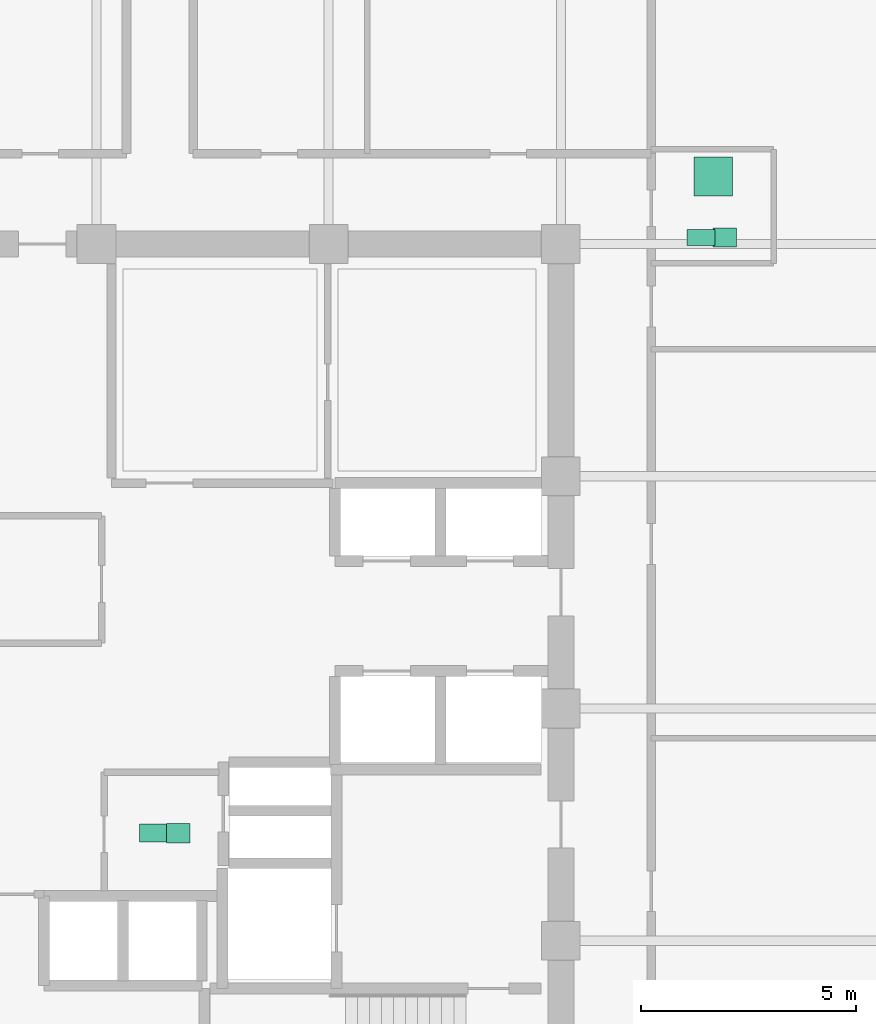
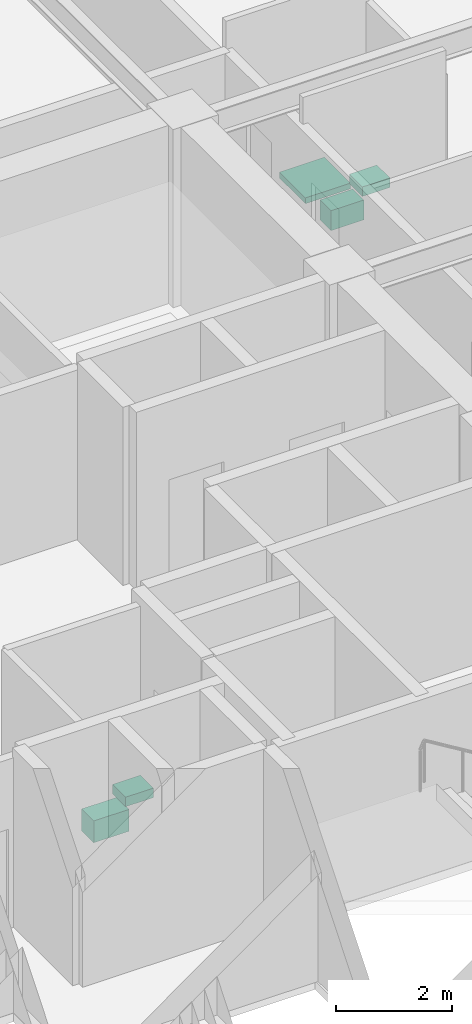
# One storey, part 32 of 32: 5 sanitary terminals.
"""IFC4 building model written with IfcOpenShell, lengths in metres."""

from ifc_helpers import new_model, si_unit, direction, frame, origin, origin_2d, place, context, subcontext, project, spatial, rectangle, extrude, material, type_object, element, save


model = new_model("IFC4")

# Units and contexts
model_context = context("Model", 3, precision=1e-05, world=origin(), true_north=direction((0.0, 1.0)))
body_context = subcontext(model_context, "Body", "Model", "MODEL_VIEW")
ifc_project = project(units=[si_unit("LENGTHUNIT", "METRE"), si_unit("AREAUNIT", "SQUARE_METRE"), si_unit("VOLUMEUNIT", "CUBIC_METRE"), si_unit("PLANEANGLEUNIT", "RADIAN"), si_unit("MASSUNIT", "GRAM", prefix="KILO")], contexts=[model_context])

# Site, building, storey
site_placement = place(None, origin())
site = spatial("IfcSite", under=ifc_project, at=site_placement, CompositionType="ELEMENT")
building_placement = place(site_placement, origin())
building = spatial("IfcBuilding", under=site, at=building_placement, Name="Surkhivell Harbour Commons", CompositionType="ELEMENT")
storey_placement = place(building_placement, frame((0.0, 0.0, 186.0)))
storey = spatial("IfcBuildingStorey", under=building, at=storey_placement, Name="L48", CompositionType="ELEMENT", Elevation=186.0)

# Sanitary terminals
ifc_material_1 = material(Name="Vitreous china washbasin", Category="other")
sanitary_terminal_type_1 = type_object("IfcSanitaryTerminalType", Name="SAN-BSN", PredefinedType="WASHHANDBASIN", material=ifc_material_1)
for number, where, z_axis, x_axis, name in (
    (1, (1.89990234375, -2.89990234375, 0.72021484375), (0.0, 0.0, 1.0), (1.0, 0.0, 0.0), "L48 Core Accessible WC Washbasin"),
    (2, (14.610107421875, 10.949951171875, 0.72021484375), (0.0, 0.0, 1.0), (1.0, 0.0, 0.0), "L48 East Communal Bathroom WC Washbasin"),
):
    element("IfcSanitaryTerminal", number, at=place(storey_placement, frame(where, z_axis=z_axis, x_axis=x_axis)), inside=storey, type_object=sanitary_terminal_type_1, Name=name, PredefinedType="WASHHANDBASIN", context=body_context, shape_type="SweptSolid", body=[
        extrude(rectangle(XDim=0.550048828125, YDim=0.449951171875, at=origin_2d()), origin(), (0.0, 0.0, 1.0), 0.199951171875),
    ])
ifc_material_2 = material(Name="Glazed porcelain shower tray", Category="other")
sanitary_terminal_type_2 = type_object("IfcSanitaryTerminalType", Name="SAN-SHW", PredefinedType="SHOWER", material=ifc_material_2)
sanitary_terminal_1_placement = place(storey_placement, frame((14.340087890625, 12.3701171875, 0.0), z_axis=(0.0, 0.0, 1.0), x_axis=(1.0, 0.0, 0.0)))
element("IfcSanitaryTerminal", 3, at=sanitary_terminal_1_placement, inside=storey, type_object=sanitary_terminal_type_2, Name="L48 East Communal Shower Tray", PredefinedType="SHOWER", context=body_context, shape_type="SweptSolid", body=[
    extrude(rectangle(XDim=0.89990234375, YDim=0.89990234375, at=origin_2d()), origin(), (0.0, 0.0, 1.0), 0.1201171875),
])
ifc_material_3 = material(Name="Vitreous china sanitaryware", Category="other")
sanitary_terminal_type_3 = type_object("IfcSanitaryTerminalType", Name="SAN-WC-ACC", PredefinedType="TOILETPAN", material=ifc_material_3)
sanitary_terminal_2_placement = place(storey_placement, frame((1.35009765625, -2.89990234375, 0.169921875), z_axis=(0.0, 0.0, 1.0), x_axis=(1.0, 0.0, 0.0)))
element("IfcSanitaryTerminal", 4, at=sanitary_terminal_2_placement, inside=storey, type_object=sanitary_terminal_type_3, Name="L48 Core Accessible WC", PredefinedType="TOILETPAN", context=body_context, shape_type="SweptSolid", body=[
    extrude(rectangle(XDim=0.699951171875, YDim=0.419921875, at=origin_2d()), origin(), (0.0, 0.0, 1.0), 0.4599609375),
])
sanitary_terminal_type_4 = type_object("IfcSanitaryTerminalType", Name="SAN-WC-STD", PredefinedType="TOILETPAN", material=ifc_material_3)
sanitary_terminal_3_placement = place(storey_placement, frame((14.06005859375, 10.949951171875, 0.18994140625), z_axis=(0.0, 0.0, 1.0), x_axis=(1.0, 0.0, 0.0)))
element("IfcSanitaryTerminal", 5, at=sanitary_terminal_3_placement, inside=storey, type_object=sanitary_terminal_type_4, Name="L48 East Communal Bathroom WC", PredefinedType="TOILETPAN", context=body_context, shape_type="SweptSolid", body=[
    extrude(rectangle(XDim=0.64990234375, YDim=0.3798828125, at=origin_2d()), origin(), (0.0, 0.0, 1.0), 0.419921875),
])

save(model, "model.ifc")
